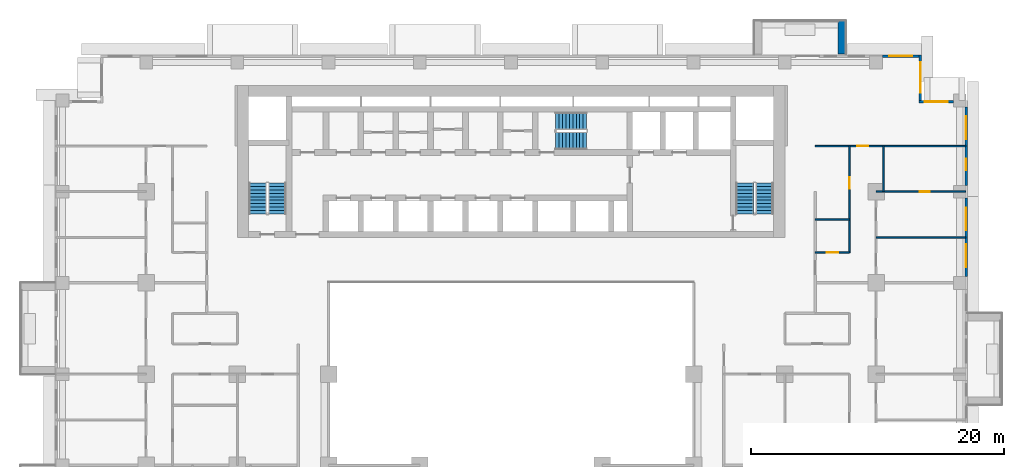
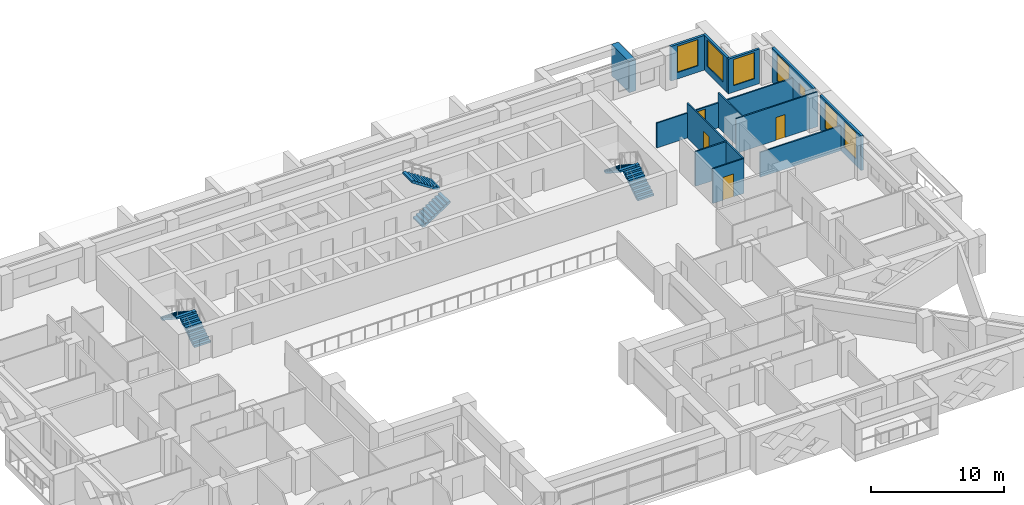
# One storey, part 12 of 16: 13 walls, 7 windows, 6 stair flights, 4 doors, 11 openings, 3 elements without a shape of their own.
"""IFC4 building model written with IfcOpenShell, lengths in metres."""

from ifc_helpers import new_model, si_unit, direction, frame, frame_2d, origin, place, context, subcontext, project, spatial, polyline, rectangle, outline, extrude, material, layer, layer_set, type_object, element, fill, aggregate, save


model = new_model("IFC4")

# Units and contexts
model_context = context("Model", 3, precision=1e-05, world=origin(), true_north=direction((0.0, 1.0)))
body_context = subcontext(model_context, "Body", "Model", "MODEL_VIEW")
ifc_project = project(units=[si_unit("LENGTHUNIT", "METRE"), si_unit("AREAUNIT", "SQUARE_METRE"), si_unit("VOLUMEUNIT", "CUBIC_METRE"), si_unit("PLANEANGLEUNIT", "RADIAN"), si_unit("MASSUNIT", "GRAM", prefix="KILO")], contexts=[model_context])

# Site, building, storey
site_placement = place(None, origin())
site = spatial("IfcSite", under=ifc_project, at=site_placement, CompositionType="ELEMENT")
building_placement = place(site_placement, origin())
building = spatial("IfcBuilding", under=site, at=building_placement, Name="Saffron Iwan Residences", CompositionType="ELEMENT")
storey_placement = place(building_placement, frame((0.0, 0.0, 69.0)))
storey = spatial("IfcBuildingStorey", under=building, at=storey_placement, Name="L17", CompositionType="ELEMENT", Elevation=69.0)

# Wall
ifc_material_1 = material(Name="Concrete C50/60 white painted", Category="concrete")
ifc_layer_1 = layer(ifc_material_1, 0.60009765625)
ifc_layer_set_1 = layer_set([ifc_layer_1], Name="Concrete C50/60 white painted")
wall_type_1 = type_object("IfcWallType", Name="BALCONY FIN 600", PredefinedType="SOLIDWALL", material=ifc_layer_set_1)
wall_1_placement = place(storey_placement, frame((76.5, 80.449951171875, 0.0), z_axis=(0.0, 0.0, 1.0), x_axis=(0.0, 1.0, 0.0)))
element("IfcWall", 1, at=wall_1_placement, inside=storey, type_object=wall_type_1, Name="Balcony fin L17 F5-0a", PredefinedType="SOLIDWALL", context=body_context, shape_type="SweptSolid", body=[
    extrude(rectangle(XDim=2.650146484375, YDim=0.60009765625, at=frame_2d((1.3251953125, 0.0))), origin(), (0.0, 0.0, 1.0), 2.85009765625),
])

# Wall, openings, windows
ifc_material_2 = material(Name="Concrete C40/50", Category="concrete")
ifc_layer_2 = layer(ifc_material_2, 0.199951171875)
ifc_layer_set_2 = layer_set([ifc_layer_2], Name="Concrete C40/50")
wall_type_2 = type_object("IfcWallType", Name="EXTERNAL WALL 200", PredefinedType="SOLIDWALL", material=ifc_layer_set_2)
wall_2_placement = place(storey_placement, frame((86.300048828125, 62.89990234375, 0.0), z_axis=(0.0, 0.0, 1.0), x_axis=(0.0, 1.0, 0.0)))
wall_2 = element("IfcWall", 2, at=wall_2_placement, inside=storey, type_object=wall_type_2, Name="External wall L17 F2.2", PredefinedType="SOLIDWALL", context=body_context, shape_type="SweptSolid", body=[
    extrude(rectangle(XDim=6.2001953125, YDim=0.199951171875, at=frame_2d((3.10009765625, 0.0))), origin(), (0.0, 0.0, 1.0), 3.179931640625),
])
opening_1_placement = place(wall_2_placement, frame((0.75, 0.0, 0.60009765625)))
opening_1 = element("IfcOpeningElement", 3, at=opening_1_placement, cuts=wall_2, Name="Opening W8", PredefinedType="OPENING", context=body_context, shape_type="SweptSolid", body=[
    extrude(rectangle(XDim=1.800048828125, YDim=2.39990234375, at=frame_2d((0.89990234375, 1.199951171875))), frame((0.0, 0.10986328125, 0.0), z_axis=(0.0, -1.0, 0.0), x_axis=(1.0, 0.0, 0.0)), (0.0, 0.0, 1.0), 0.219970703125),
])
opening_2_placement = place(wall_2_placement, frame((3.64990234375, 0.0, 0.60009765625)))
opening_2 = element("IfcOpeningElement", 4, at=opening_2_placement, cuts=wall_2, Name="Opening W8", PredefinedType="OPENING", context=body_context, shape_type="SweptSolid", body=[
    extrude(rectangle(XDim=1.800048828125, YDim=2.39990234375, at=frame_2d((0.89990234375, 1.199951171875))), frame((0.0, 0.10986328125, 0.0), z_axis=(0.0, -1.0, 0.0), x_axis=(1.0, 0.0, 0.0)), (0.0, 0.0, 1.0), 0.219970703125),
])
ifc_material_3 = material(Name="Clear glass, laminated double glazed", Category="glass")
window_type_1 = type_object("IfcWindowType", Name="WINDOW 1800 x 2400", PartitioningType="DOUBLE_PANEL_VERTICAL", PredefinedType="WINDOW", material=ifc_material_3)
window_1_placement = place(opening_1_placement, origin())
window_1 = element("IfcWindow", 5, at=window_1_placement, inside=storey, type_object=window_type_1, Name="Window L17 F2.0", OverallHeight=2.39990234375, OverallWidth=1.800048828125, PartitioningType="DOUBLE_PANEL_VERTICAL", PredefinedType="WINDOW", context=body_context, shape_type="SweptSolid", body=[
    extrude(rectangle(XDim=1.800048828125, YDim=2.39990234375, at=frame_2d((0.89990234375, 1.199951171875))), frame((0.0, 0.030029296875, 0.0), z_axis=(0.0, -1.0, 0.0), x_axis=(1.0, 0.0, 0.0)), (0.0, 0.0, 1.0), 0.06005859375),
])
fill(opening_1, window_1)
window_2_placement = place(opening_2_placement, origin())
window_2 = element("IfcWindow", 6, at=window_2_placement, inside=storey, type_object=window_type_1, Name="Window L17 F2.1", OverallHeight=2.39990234375, OverallWidth=1.800048828125, PartitioningType="DOUBLE_PANEL_VERTICAL", PredefinedType="WINDOW", context=body_context, shape_type="SweptSolid", body=[
    extrude(rectangle(XDim=1.800048828125, YDim=2.39990234375, at=frame_2d((0.89990234375, 1.199951171875))), frame((0.0, 0.030029296875, 0.0), z_axis=(0.0, -1.0, 0.0), x_axis=(1.0, 0.0, 0.0)), (0.0, 0.0, 1.0), 0.06005859375),
])
fill(opening_2, window_2)

wall_3_placement = place(storey_placement, frame((86.300048828125, 70.10009765625, 0.0), z_axis=(0.0, 0.0, 1.0), x_axis=(0.0, 1.0, 0.0)))
wall_3 = element("IfcWall", 7, at=wall_3_placement, inside=storey, type_object=wall_type_2, Name="External wall L17 F2.3", PredefinedType="SOLIDWALL", context=body_context, shape_type="SweptSolid", body=[
    extrude(rectangle(XDim=6.199951171875, YDim=0.199951171875, at=frame_2d((3.10009765625, 0.0))), origin(), (0.0, 0.0, 1.0), 3.179931640625),
])
opening_3_placement = place(wall_3_placement, frame((1.199951171875, 0.0, 1.5)))
opening_3 = element("IfcOpeningElement", 8, at=opening_3_placement, cuts=wall_3, Name="Opening W6", PredefinedType="OPENING", context=body_context, shape_type="SweptSolid", body=[
    extrude(rectangle(XDim=0.89990234375, YDim=0.89990234375, at=frame_2d((0.449951171875, 0.449951171875))), frame((0.0, 0.10986328125, 0.0), z_axis=(0.0, -1.0, 0.0), x_axis=(1.0, 0.0, 0.0)), (0.0, 0.0, 1.0), 0.219970703125),
])
opening_4_placement = place(wall_3_placement, frame((3.64990234375, 0.0, 0.60009765625)))
opening_4 = element("IfcOpeningElement", 9, at=opening_4_placement, cuts=wall_3, Name="Opening W8", PredefinedType="OPENING", context=body_context, shape_type="SweptSolid", body=[
    extrude(rectangle(XDim=1.800048828125, YDim=2.39990234375, at=frame_2d((0.89990234375, 1.199951171875))), frame((0.0, 0.10986328125, 0.0), z_axis=(0.0, -1.0, 0.0), x_axis=(1.0, 0.0, 0.0)), (0.0, 0.0, 1.0), 0.219970703125),
])
window_3_placement = place(opening_4_placement, origin())
window_3 = element("IfcWindow", 10, at=window_3_placement, inside=storey, type_object=window_type_1, Name="Window L17 F2.1", OverallHeight=2.39990234375, OverallWidth=1.800048828125, PartitioningType="DOUBLE_PANEL_VERTICAL", PredefinedType="WINDOW", context=body_context, shape_type="SweptSolid", body=[
    extrude(rectangle(XDim=1.800048828125, YDim=2.39990234375, at=frame_2d((0.89990234375, 1.199951171875))), frame((0.0, 0.030029296875, 0.0), z_axis=(0.0, -1.0, 0.0), x_axis=(1.0, 0.0, 0.0)), (0.0, 0.0, 1.0), 0.06005859375),
])
fill(opening_4, window_3)
window_type_2 = type_object("IfcWindowType", Name="WINDOW 900 x 900 BATH", PartitioningType="SINGLE_PANEL", PredefinedType="WINDOW", material=ifc_material_3)
window_4_placement = place(opening_3_placement, origin())
window_4 = element("IfcWindow", 11, at=window_4_placement, inside=storey, type_object=window_type_2, Name="Window L17 F2.0", OverallHeight=0.89990234375, OverallWidth=0.89990234375, PartitioningType="SINGLE_PANEL", PredefinedType="WINDOW", context=body_context, shape_type="SweptSolid", body=[
    extrude(rectangle(XDim=0.89990234375, YDim=0.89990234375, at=frame_2d((0.449951171875, 0.449951171875))), frame((0.0, 0.030029296875, 0.0), z_axis=(0.0, -1.0, 0.0), x_axis=(1.0, 0.0, 0.0)), (0.0, 0.0, 1.0), 0.06005859375),
])
fill(opening_3, window_4)

# Wall, opening, window
wall_4_placement = place(storey_placement, frame((85.300048828125, 76.699951171875, 0.0), z_axis=(0.0, 0.0, 1.0), x_axis=(-1.0, 0.0, 0.0)))
wall_4 = element("IfcWall", 12, at=wall_4_placement, inside=storey, type_object=wall_type_2, Name="External wall L17 F3.0", PredefinedType="SOLIDWALL", context=body_context, shape_type="SweptSolid", body=[
    extrude(rectangle(XDim=2.699951171875, YDim=0.199951171875, at=frame_2d((1.35009765625, 0.0))), origin(), (0.0, 0.0, 1.0), 3.179931640625),
])
opening_5_placement = place(wall_4_placement, frame((0.449951171875, 0.0, 0.60009765625)))
opening_5 = element("IfcOpeningElement", 13, at=opening_5_placement, cuts=wall_4, Name="Opening W8", PredefinedType="OPENING", context=body_context, shape_type="SweptSolid", body=[
    extrude(rectangle(XDim=1.800048828125, YDim=2.39990234375, at=frame_2d((0.89990234375, 1.199951171875))), frame((0.0, 0.10986328125, 0.0), z_axis=(0.0, -1.0, 0.0), x_axis=(1.0, 0.0, 0.0)), (0.0, 0.0, 1.0), 0.219970703125),
])
window_5_placement = place(opening_5_placement, origin())
window_5 = element("IfcWindow", 14, at=window_5_placement, inside=storey, type_object=window_type_1, Name="Window L17 F3.0", OverallHeight=2.39990234375, OverallWidth=1.800048828125, PartitioningType="DOUBLE_PANEL_VERTICAL", PredefinedType="WINDOW", context=body_context, shape_type="SweptSolid", body=[
    extrude(rectangle(XDim=1.800048828125, YDim=2.39990234375, at=frame_2d((0.89990234375, 1.199951171875))), frame((0.0, 0.030029296875, 0.0), z_axis=(0.0, -1.0, 0.0), x_axis=(1.0, 0.0, 0.0)), (0.0, 0.0, 1.0), 0.06005859375),
])
fill(opening_5, window_5)

wall_5_placement = place(storey_placement, frame((82.699951171875, 76.800048828125, 0.0), z_axis=(0.0, 0.0, 1.0), x_axis=(0.0, 1.0, 0.0)))
wall_5 = element("IfcWall", 15, at=wall_5_placement, inside=storey, type_object=wall_type_2, Name="External wall L17 F4.0", PredefinedType="SOLIDWALL", context=body_context, shape_type="SweptSolid", body=[
    extrude(rectangle(XDim=3.599853515625, YDim=0.199951171875, at=frame_2d((1.7998046875, 0.0))), origin(), (0.0, 0.0, 1.0), 3.179931640625),
])
opening_6_placement = place(wall_5_placement, frame((0.60009765625, 0.0, 0.60009765625)))
opening_6 = element("IfcOpeningElement", 16, at=opening_6_placement, cuts=wall_5, Name="Opening W1", PredefinedType="OPENING", context=body_context, shape_type="SweptSolid", body=[
    extrude(rectangle(XDim=2.39990234375, YDim=2.39990234375, at=frame_2d((1.199951171875, 1.199951171875))), frame((0.0, 0.10986328125, 0.0), z_axis=(0.0, -1.0, 0.0), x_axis=(1.0, 0.0, 0.0)), (0.0, 0.0, 1.0), 0.219970703125),
])
window_type_3 = type_object("IfcWindowType", Name="WINDOW 2400 x 2400", PartitioningType="DOUBLE_PANEL_VERTICAL", PredefinedType="WINDOW", material=ifc_material_3)
window_6_placement = place(opening_6_placement, origin())
window_6 = element("IfcWindow", 17, at=window_6_placement, inside=storey, type_object=window_type_3, Name="Window L17 F4.0", OverallHeight=2.39990234375, OverallWidth=2.39990234375, PartitioningType="DOUBLE_PANEL_VERTICAL", PredefinedType="WINDOW", context=body_context, shape_type="SweptSolid", body=[
    extrude(rectangle(XDim=2.39990234375, YDim=2.39990234375, at=frame_2d((1.199951171875, 1.199951171875))), frame((0.0, 0.030029296875, 0.0), z_axis=(0.0, -1.0, 0.0), x_axis=(1.0, 0.0, 0.0)), (0.0, 0.0, 1.0), 0.06005859375),
])
fill(opening_6, window_6)

wall_6_placement = place(storey_placement, frame((82.60009765625, 80.300048828125, 0.0), z_axis=(0.0, 0.0, 1.0), x_axis=(-1.0, 0.0, 0.0)))
wall_6 = element("IfcWall", 18, at=wall_6_placement, inside=storey, type_object=wall_type_2, Name="External wall L17 F5.0", PredefinedType="SOLIDWALL", context=body_context, shape_type="SweptSolid", body=[
    extrude(rectangle(XDim=2.900146484375, YDim=0.199951171875, at=frame_2d((1.4501953125, 0.0))), origin(), (0.0, 0.0, 1.0), 3.179931640625),
])
opening_7_placement = place(wall_6_placement, frame((0.550048828125, 0.0, 0.60009765625)))
opening_7 = element("IfcOpeningElement", 19, at=opening_7_placement, cuts=wall_6, Name="Opening W8", PredefinedType="OPENING", context=body_context, shape_type="SweptSolid", body=[
    extrude(rectangle(XDim=1.800048828125, YDim=2.39990234375, at=frame_2d((0.89990234375, 1.199951171875))), frame((0.0, 0.10986328125, 0.0), z_axis=(0.0, -1.0, 0.0), x_axis=(1.0, 0.0, 0.0)), (0.0, 0.0, 1.0), 0.219970703125),
])
window_7_placement = place(opening_7_placement, origin())
window_7 = element("IfcWindow", 20, at=window_7_placement, inside=storey, type_object=window_type_1, Name="Window L17 F5.0", OverallHeight=2.39990234375, OverallWidth=1.800048828125, PartitioningType="DOUBLE_PANEL_VERTICAL", PredefinedType="WINDOW", context=body_context, shape_type="SweptSolid", body=[
    extrude(rectangle(XDim=1.800048828125, YDim=2.39990234375, at=frame_2d((0.89990234375, 1.199951171875))), frame((0.0, 0.030029296875, 0.0), z_axis=(0.0, -1.0, 0.0), x_axis=(1.0, 0.0, 0.0)), (0.0, 0.0, 1.0), 0.06005859375),
])
fill(opening_7, window_7)

# Wall, opening, door
ifc_material_4 = material(Name="Gypsum board partition")
ifc_layer_3 = layer(ifc_material_4, 0.1201171875)
ifc_layer_set_3 = layer_set([ifc_layer_3], Name="Gypsum board partition")
wall_type_3 = type_object("IfcWallType", Name="Flat partition 120", PredefinedType="PARTITIONING", material=ifc_layer_set_3)
wall_7_placement = place(storey_placement, frame((74.39990234375, 64.800048828125, 0.0), z_axis=(0.0, 0.0, 1.0), x_axis=(1.0, 0.0, 0.0)))
wall_7 = element("IfcWall", 21, at=wall_7_placement, inside=storey, type_object=wall_type_3, Name="W-L17-PART-h64.8-74.4", PredefinedType="PARTITIONING", context=body_context, shape_type="SweptSolid", body=[
    extrude(rectangle(XDim=2.7001953125, YDim=0.1201171875, at=frame_2d((1.35009765625, 0.0))), origin(), (0.0, 0.0, 1.0), 3.179931640625),
])
opening_8_placement = place(wall_7_placement, frame((0.89990234375, 0.0, 0.0)))
opening_8 = element("IfcOpeningElement", 22, at=opening_8_placement, cuts=wall_7, Name="Opening FD2", PredefinedType="OPENING", context=body_context, shape_type="SweptSolid", body=[
    extrude(rectangle(XDim=0.89990234375, YDim=2.10009765625, at=frame_2d((0.449951171875, 1.050048828125))), frame((0.0, 0.070068359375, 0.0), z_axis=(0.0, -1.0, 0.0), x_axis=(1.0, 0.0, 0.0)), (0.0, 0.0, 1.0), 0.14013671875),
])
ifc_material_5 = material(Name="Timber door", Category="wood")
door_type_1 = type_object("IfcDoorType", Name="Flat door 900", OperationType="NOTDEFINED", PredefinedType="DOOR", material=ifc_material_5)
door_1_placement = place(opening_8_placement, origin())
door_1 = element("IfcDoor", 23, at=door_1_placement, inside=storey, type_object=door_type_1, Name="Door L17-039", OperationType="SINGLE_SWING_LEFT", OverallHeight=2.10009765625, OverallWidth=0.89990234375, PredefinedType="DOOR", context=body_context, shape_type="SweptSolid", body=[
    extrude(rectangle(XDim=0.89990234375, YDim=2.10009765625, at=frame_2d((0.449951171875, 1.050048828125))), frame((0.0, 0.02490234375, 0.0), z_axis=(0.0, -1.0, 0.0), x_axis=(1.0, 0.0, 0.0)), (0.0, 0.0, 1.0), 0.050048828125),
])
fill(opening_8, door_1)

# Walls
wall_8_placement = place(storey_placement, frame((79.199951171875, 66.0, 0.0), z_axis=(0.0, 0.0, 1.0), x_axis=(1.0, 0.0, 0.0)))
element("IfcWall", 24, at=wall_8_placement, inside=storey, type_object=wall_type_3, Name="W-L17-PART-h66-79.2", PredefinedType="PARTITIONING", context=body_context, shape_type="SweptSolid", body=[
    extrude(rectangle(XDim=7.074951171875, YDim=0.1201171875, at=frame_2d((3.53759765625, 0.0))), origin(), (0.0, 0.0, 1.0), 2.280029296875),
])
wall_9_placement = place(storey_placement, frame((74.39990234375, 67.39990234375, 0.0), z_axis=(0.0, 0.0, 1.0), x_axis=(1.0, 0.0, 0.0)))
element("IfcWall", 25, at=wall_9_placement, inside=storey, type_object=wall_type_3, Name="W-L17-PART-h67.4-74.4", PredefinedType="PARTITIONING", context=body_context, shape_type="SweptSolid", body=[
    extrude(rectangle(XDim=2.7001953125, YDim=0.1201171875, at=frame_2d((1.35009765625, 0.0))), origin(), (0.0, 0.0, 1.0), 3.179931640625),
])

# Wall, opening, door
wall_10_placement = place(storey_placement, frame((79.199951171875, 69.60009765625, 0.0), z_axis=(0.0, 0.0, 1.0), x_axis=(1.0, 0.0, 0.0)))
wall_10 = element("IfcWall", 26, at=wall_10_placement, inside=storey, type_object=wall_type_3, Name="W-L17-PART-h69.6-79.2", PredefinedType="PARTITIONING", context=body_context, shape_type="SweptSolid", body=[
    extrude(rectangle(XDim=7.074951171875, YDim=0.1201171875, at=frame_2d((3.53759765625, 0.0))), origin(), (0.0, 0.0, 1.0), 3.179931640625),
])
opening_9_placement = place(wall_10_placement, frame((3.4375, 0.0, 0.0)))
opening_9 = element("IfcOpeningElement", 27, at=opening_9_placement, cuts=wall_10, Name="Opening FD3", PredefinedType="OPENING", context=body_context, shape_type="SweptSolid", body=[
    extrude(rectangle(XDim=0.800048828125, YDim=2.10009765625, at=frame_2d((0.39990234375, 1.050048828125))), frame((0.0, 0.070068359375, 0.0), z_axis=(0.0, -1.0, 0.0), x_axis=(1.0, 0.0, 0.0)), (0.0, 0.0, 1.0), 0.14013671875),
])
door_type_2 = type_object("IfcDoorType", Name="Bathroom door 800", OperationType="NOTDEFINED", PredefinedType="DOOR", material=ifc_material_5)
door_2_placement = place(opening_9_placement, origin())
door_2 = element("IfcDoor", 28, at=door_2_placement, inside=storey, type_object=door_type_2, Name="Door L17-037", OperationType="SINGLE_SWING_LEFT", OverallHeight=2.10009765625, OverallWidth=0.800048828125, PredefinedType="DOOR", context=body_context, shape_type="SweptSolid", body=[
    extrude(rectangle(XDim=0.800048828125, YDim=2.10009765625, at=frame_2d((0.39990234375, 1.050048828125))), frame((0.0, 0.02490234375, 0.0), z_axis=(0.0, -1.0, 0.0), x_axis=(1.0, 0.0, 0.0)), (0.0, 0.0, 1.0), 0.050048828125),
])
fill(opening_9, door_2)

wall_11_placement = place(storey_placement, frame((74.39990234375, 73.199951171875, 0.0), z_axis=(0.0, 0.0, 1.0), x_axis=(1.0, 0.0, 0.0)))
wall_11 = element("IfcWall", 29, at=wall_11_placement, inside=storey, type_object=wall_type_3, Name="W-L17-PART-h73.2-74.4", PredefinedType="PARTITIONING", context=body_context, shape_type="SweptSolid", body=[
    extrude(rectangle(XDim=11.875, YDim=0.1201171875, at=frame_2d((5.9375, 0.0))), origin(), (0.0, 0.0, 1.0), 2.280029296875),
])
opening_10_placement = place(wall_11_placement, frame((3.300048828125, 0.0, 0.0)))
opening_10 = element("IfcOpeningElement", 30, at=opening_10_placement, cuts=wall_11, Name="Opening FD2", PredefinedType="OPENING", context=body_context, shape_type="SweptSolid", body=[
    extrude(rectangle(XDim=0.89990234375, YDim=2.10009765625, at=frame_2d((0.449951171875, 1.050048828125))), frame((0.0, 0.070068359375, 0.0), z_axis=(0.0, -1.0, 0.0), x_axis=(1.0, 0.0, 0.0)), (0.0, 0.0, 1.0), 0.14013671875),
])
door_3_placement = place(opening_10_placement, origin())
door_3 = element("IfcDoor", 31, at=door_3_placement, inside=storey, type_object=door_type_1, Name="Door L17-038", OperationType="SINGLE_SWING_RIGHT", OverallHeight=2.10009765625, OverallWidth=0.89990234375, PredefinedType="DOOR", context=body_context, shape_type="SweptSolid", body=[
    extrude(rectangle(XDim=0.89990234375, YDim=2.10009765625, at=frame_2d((0.449951171875, 1.050048828125))), frame((0.0, 0.02490234375, 0.0), z_axis=(0.0, -1.0, 0.0), x_axis=(1.0, 0.0, 0.0)), (0.0, 0.0, 1.0), 0.050048828125),
])
fill(opening_10, door_3)

wall_12_placement = place(storey_placement, frame((77.10009765625, 64.800048828125, 0.0), z_axis=(0.0, 0.0, 1.0), x_axis=(0.0, 1.0, 0.0)))
wall_12 = element("IfcWall", 32, at=wall_12_placement, inside=storey, type_object=wall_type_3, Name="W-L17-PART-v77.1-64.8", PredefinedType="PARTITIONING", context=body_context, shape_type="SweptSolid", body=[
    extrude(rectangle(XDim=8.39990234375, YDim=0.1201171875, at=frame_2d((4.199951171875, 0.0))), origin(), (0.0, 0.0, 1.0), 3.179931640625),
])
opening_11_placement = place(wall_12_placement, frame((5.050048828125, 0.0, 0.0)))
opening_11 = element("IfcOpeningElement", 33, at=opening_11_placement, cuts=wall_12, Name="Opening FD2", PredefinedType="OPENING", context=body_context, shape_type="SweptSolid", body=[
    extrude(rectangle(XDim=0.89990234375, YDim=2.10009765625, at=frame_2d((0.449951171875, 1.050048828125))), frame((0.0, 0.070068359375, 0.0), z_axis=(0.0, -1.0, 0.0), x_axis=(1.0, 0.0, 0.0)), (0.0, 0.0, 1.0), 0.14013671875),
])
door_4_placement = place(opening_11_placement, origin())
door_4 = element("IfcDoor", 34, at=door_4_placement, inside=storey, type_object=door_type_1, Name="Door L17-040", OperationType="SINGLE_SWING_LEFT", OverallHeight=2.10009765625, OverallWidth=0.89990234375, PredefinedType="DOOR", context=body_context, shape_type="SweptSolid", body=[
    extrude(rectangle(XDim=0.89990234375, YDim=2.10009765625, at=frame_2d((0.449951171875, 1.050048828125))), frame((0.0, 0.02490234375, 0.0), z_axis=(0.0, -1.0, 0.0), x_axis=(1.0, 0.0, 0.0)), (0.0, 0.0, 1.0), 0.050048828125),
])
fill(opening_11, door_4)

# Wall
wall_13_placement = place(storey_placement, frame((79.800048828125, 69.60009765625, 0.0), z_axis=(0.0, 0.0, 1.0), x_axis=(0.0, 1.0, 0.0)))
element("IfcWall", 35, at=wall_13_placement, inside=storey, type_object=wall_type_3, Name="W-L17-PART-v79.8-69.6", PredefinedType="PARTITIONING", context=body_context, shape_type="SweptSolid", body=[
    extrude(rectangle(XDim=3.599853515625, YDim=0.1201171875, at=frame_2d((1.7998046875, 0.0))), origin(), (0.0, 0.0, 1.0), 3.179931640625),
])

# Stair, stair flights
ifc_material_6 = material(Name="Concrete C50/60", Category="concrete")
stair_type = type_object("IfcStairType", Name="Stair ST-CORE", PredefinedType="HALF_TURN_STAIR", material=ifc_material_6)
stair_1_placement = place(storey_placement, origin())
stair_1 = element("IfcStair", 36, at=stair_1_placement, inside=storey, type_object=stair_type, Name="L17 Exit Stair ST-W", PredefinedType="HALF_TURN_STAIR")
ifc_layer_4 = layer(ifc_material_6, 0.14990234375)
ifc_layer_set_4 = layer_set([ifc_layer_4], Name="Concrete C50/60")
stair_flight_type = type_object("IfcStairFlightType", Name="Stair flight SFL-RC", PredefinedType="STRAIGHT", material=ifc_layer_set_4)
stair_flight_1_placement = place(storey_placement, frame((31.949951171875, 67.85009765625, 0.0), z_axis=(0.0, 0.0, 1.0), x_axis=(0.0, 1.0, 0.0)))
stair_flight_1 = element("IfcStairFlight", 37, at=stair_flight_1_placement, type_object=stair_flight_type, Name="ST-W flight 1", NumberOfRisers=10, NumberOfTreads=9, PredefinedType="STRAIGHT", RiserHeight=0.175, TreadLength=0.27, context=body_context, shape_type="SweptSolid", body=[
    extrude(outline(polyline([(0.0, 0.0), (0.0, 0.175048828125), (0.27001953125, 0.175048828125), (0.27001953125, 0.35009765625), (0.5400390625, 0.35009765625), (0.5400390625, 0.52490234375), (0.81005859375, 0.52490234375), (0.81005859375, 0.699951171875), (1.080078125, 0.699951171875), (1.080078125, 0.875), (1.35009765625, 0.875), (1.35009765625, 1.050048828125), (1.6201171875, 1.050048828125), (1.6201171875, 1.22509765625), (1.889892578125, 1.22509765625), (1.889892578125, 1.39990234375), (2.159912109375, 1.39990234375), (2.159912109375, 1.574951171875), (2.429931640625, 1.574951171875), (2.429931640625, 1.75), (2.429931640625, 1.396484375), (0.275634765625, 0.0), (0.0, 0.0)])), frame((0.0, 0.699951171875, 0.0), z_axis=(0.0, -1.0, 0.0), x_axis=(1.0, 0.0, 0.0)), (0.0, 0.0, 1.0), 1.39990234375),
])
stair_flight_2_placement = place(storey_placement, frame((30.39990234375, 70.280029296875, 1.75), z_axis=(0.0, 0.0, 1.0), x_axis=(0.0, -1.0, 0.0)))
stair_flight_2 = element("IfcStairFlight", 38, at=stair_flight_2_placement, type_object=stair_flight_type, Name="ST-W flight 2", NumberOfRisers=10, NumberOfTreads=9, PredefinedType="STRAIGHT", RiserHeight=0.175, TreadLength=0.27, context=body_context, shape_type="SweptSolid", body=[
    extrude(outline(polyline([(0.0, 0.0), (0.0, 0.175048828125), (0.27001953125, 0.175048828125), (0.27001953125, 0.35009765625), (0.5400390625, 0.35009765625), (0.5400390625, 0.52490234375), (0.81005859375, 0.52490234375), (0.81005859375, 0.699951171875), (1.080078125, 0.699951171875), (1.080078125, 0.875), (1.35009765625, 0.875), (1.35009765625, 1.050048828125), (1.6201171875, 1.050048828125), (1.6201171875, 1.22509765625), (1.889892578125, 1.22509765625), (1.889892578125, 1.39990234375), (2.159912109375, 1.39990234375), (2.159912109375, 1.574951171875), (2.429931640625, 1.574951171875), (2.429931640625, 1.75), (2.429931640625, 1.396484375), (0.275634765625, 0.0), (0.0, 0.0)])), frame((0.0, 0.699951171875, 0.0), z_axis=(0.0, -1.0, 0.0), x_axis=(1.0, 0.0, 0.0)), (0.0, 0.0, 1.0), 1.39990234375),
])
aggregate(stair_1, [stair_flight_1, stair_flight_2])

stair_2_placement = place(storey_placement, origin())
stair_2 = element("IfcStair", 39, at=stair_2_placement, inside=storey, type_object=stair_type, Name="L17 Exit Stair ST-C", PredefinedType="HALF_TURN_STAIR")
stair_flight_3_placement = place(storey_placement, frame((53.925048828125, 73.625, 0.0), z_axis=(0.0, 0.0, 1.0), x_axis=(1.0, 0.0, 0.0)))
stair_flight_3 = element("IfcStairFlight", 40, at=stair_flight_3_placement, type_object=stair_flight_type, Name="ST-C flight 1", NumberOfRisers=10, NumberOfTreads=9, PredefinedType="STRAIGHT", RiserHeight=0.175, TreadLength=0.27, context=body_context, shape_type="SweptSolid", body=[
    extrude(outline(polyline([(0.0, 0.0), (0.0, 0.175048828125), (0.27001953125, 0.175048828125), (0.27001953125, 0.35009765625), (0.5400390625, 0.35009765625), (0.5400390625, 0.52490234375), (0.81005859375, 0.52490234375), (0.81005859375, 0.699951171875), (1.080078125, 0.699951171875), (1.080078125, 0.875), (1.35009765625, 0.875), (1.35009765625, 1.050048828125), (1.6201171875, 1.050048828125), (1.6201171875, 1.22509765625), (1.889892578125, 1.22509765625), (1.889892578125, 1.39990234375), (2.159912109375, 1.39990234375), (2.159912109375, 1.574951171875), (2.429931640625, 1.574951171875), (2.429931640625, 1.75), (2.429931640625, 1.396484375), (0.275634765625, 0.0), (0.0, 0.0)])), frame((0.0, 0.699951171875, 0.0), z_axis=(0.0, -1.0, 0.0), x_axis=(1.0, 0.0, 0.0)), (0.0, 0.0, 1.0), 1.39990234375),
])
stair_flight_4_placement = place(storey_placement, frame((56.35498046875, 75.175048828125, 1.75), z_axis=(0.0, 0.0, 1.0), x_axis=(-1.0, 0.0, 0.0)))
stair_flight_4 = element("IfcStairFlight", 41, at=stair_flight_4_placement, type_object=stair_flight_type, Name="ST-C flight 2", NumberOfRisers=10, NumberOfTreads=9, PredefinedType="STRAIGHT", RiserHeight=0.175, TreadLength=0.27, context=body_context, shape_type="SweptSolid", body=[
    extrude(outline(polyline([(0.0, 0.0), (0.0, 0.175048828125), (0.27001953125, 0.175048828125), (0.27001953125, 0.35009765625), (0.5400390625, 0.35009765625), (0.5400390625, 0.52490234375), (0.81005859375, 0.52490234375), (0.81005859375, 0.699951171875), (1.080078125, 0.699951171875), (1.080078125, 0.875), (1.35009765625, 0.875), (1.35009765625, 1.050048828125), (1.6201171875, 1.050048828125), (1.6201171875, 1.22509765625), (1.889892578125, 1.22509765625), (1.889892578125, 1.39990234375), (2.159912109375, 1.39990234375), (2.159912109375, 1.574951171875), (2.429931640625, 1.574951171875), (2.429931640625, 1.75), (2.429931640625, 1.396484375), (0.275634765625, 0.0), (0.0, 0.0)])), frame((0.0, 0.699951171875, 0.0), z_axis=(0.0, -1.0, 0.0), x_axis=(1.0, 0.0, 0.0)), (0.0, 0.0, 1.0), 1.39990234375),
])
aggregate(stair_2, [stair_flight_3, stair_flight_4])

stair_3_placement = place(storey_placement, origin())
stair_3 = element("IfcStair", 42, at=stair_3_placement, inside=storey, type_object=stair_type, Name="L17 Exit Stair ST-E", PredefinedType="HALF_TURN_STAIR")
stair_flight_5_placement = place(storey_placement, frame((70.39990234375, 67.85009765625, 0.0), z_axis=(0.0, 0.0, 1.0), x_axis=(0.0, 1.0, 0.0)))
stair_flight_5 = element("IfcStairFlight", 43, at=stair_flight_5_placement, type_object=stair_flight_type, Name="ST-E flight 1", NumberOfRisers=10, NumberOfTreads=9, PredefinedType="STRAIGHT", RiserHeight=0.175, TreadLength=0.27, context=body_context, shape_type="SweptSolid", body=[
    extrude(outline(polyline([(0.0, 0.0), (0.0, 0.175048828125), (0.27001953125, 0.175048828125), (0.27001953125, 0.35009765625), (0.5400390625, 0.35009765625), (0.5400390625, 0.52490234375), (0.81005859375, 0.52490234375), (0.81005859375, 0.699951171875), (1.080078125, 0.699951171875), (1.080078125, 0.875), (1.35009765625, 0.875), (1.35009765625, 1.050048828125), (1.6201171875, 1.050048828125), (1.6201171875, 1.22509765625), (1.889892578125, 1.22509765625), (1.889892578125, 1.39990234375), (2.159912109375, 1.39990234375), (2.159912109375, 1.574951171875), (2.429931640625, 1.574951171875), (2.429931640625, 1.75), (2.429931640625, 1.396484375), (0.275634765625, 0.0), (0.0, 0.0)])), frame((0.0, 0.699951171875, 0.0), z_axis=(0.0, -1.0, 0.0), x_axis=(1.0, 0.0, 0.0)), (0.0, 0.0, 1.0), 1.39990234375),
])
stair_flight_6_placement = place(storey_placement, frame((68.85009765625, 70.280029296875, 1.75), z_axis=(0.0, 0.0, 1.0), x_axis=(0.0, -1.0, 0.0)))
stair_flight_6 = element("IfcStairFlight", 44, at=stair_flight_6_placement, type_object=stair_flight_type, Name="ST-E flight 2", NumberOfRisers=10, NumberOfTreads=9, PredefinedType="STRAIGHT", RiserHeight=0.175, TreadLength=0.27, context=body_context, shape_type="SweptSolid", body=[
    extrude(outline(polyline([(0.0, 0.0), (0.0, 0.175048828125), (0.27001953125, 0.175048828125), (0.27001953125, 0.35009765625), (0.5400390625, 0.35009765625), (0.5400390625, 0.52490234375), (0.81005859375, 0.52490234375), (0.81005859375, 0.699951171875), (1.080078125, 0.699951171875), (1.080078125, 0.875), (1.35009765625, 0.875), (1.35009765625, 1.050048828125), (1.6201171875, 1.050048828125), (1.6201171875, 1.22509765625), (1.889892578125, 1.22509765625), (1.889892578125, 1.39990234375), (2.159912109375, 1.39990234375), (2.159912109375, 1.574951171875), (2.429931640625, 1.574951171875), (2.429931640625, 1.75), (2.429931640625, 1.396484375), (0.275634765625, 0.0), (0.0, 0.0)])), frame((0.0, 0.699951171875, 0.0), z_axis=(0.0, -1.0, 0.0), x_axis=(1.0, 0.0, 0.0)), (0.0, 0.0, 1.0), 1.39990234375),
])
aggregate(stair_3, [stair_flight_5, stair_flight_6])

save(model, "model.ifc")
